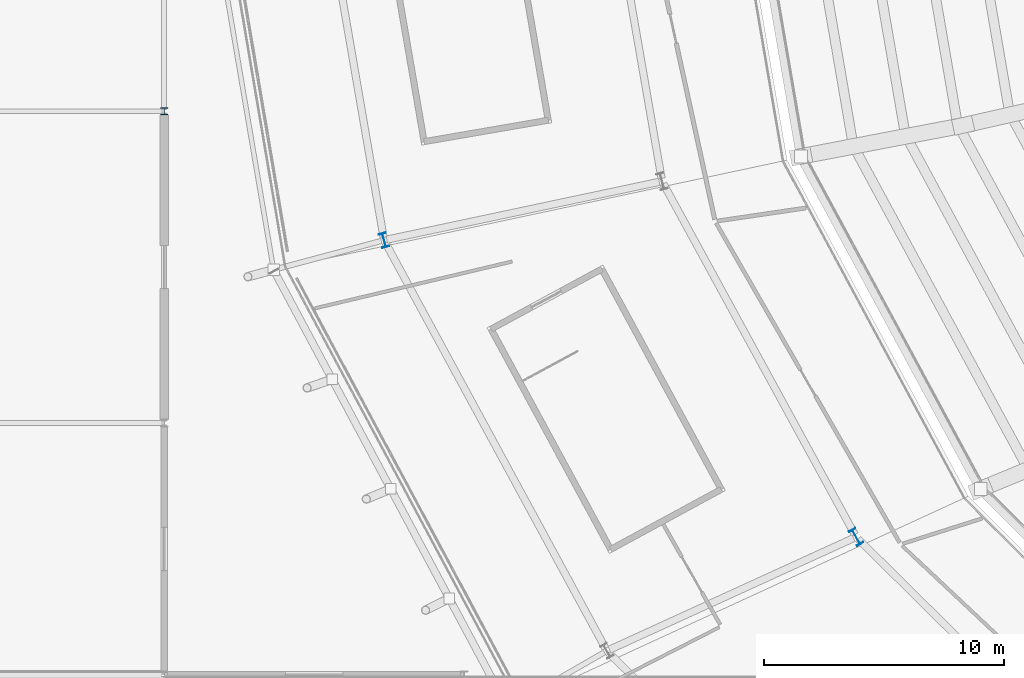
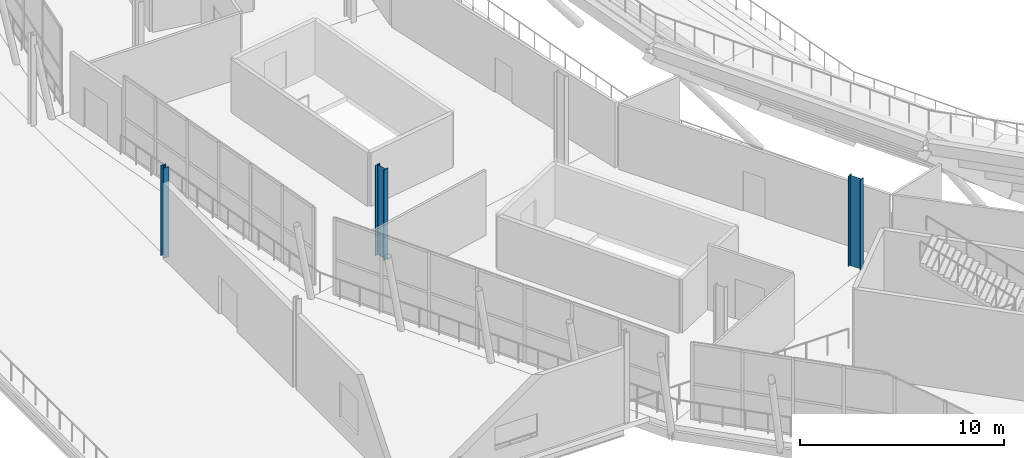
# One storey, part 2 of 126: 3 columns.
"""IFC4 building model written with IfcOpenShell, lengths in metres."""

from ifc_helpers import new_model, si_unit, direction, frame, origin, origin_2d, place, context, subcontext, project, spatial, i_section, extrude, material, material_profile, profile_set, type_object, element, save


model = new_model("IFC4")

# Units and contexts
model_context = context("Model", 3, precision=1e-05, world=origin(), true_north=direction((0.0, 1.0)))
body_context = subcontext(model_context, "Body", "Model", "MODEL_VIEW")
ifc_project = project(units=[si_unit("LENGTHUNIT", "METRE"), si_unit("AREAUNIT", "SQUARE_METRE"), si_unit("VOLUMEUNIT", "CUBIC_METRE"), si_unit("PLANEANGLEUNIT", "RADIAN"), si_unit("MASSUNIT", "GRAM", prefix="KILO")], contexts=[model_context])

# Site, building, storey
site_placement = place(None, origin())
site = spatial("IfcSite", under=ifc_project, at=site_placement, CompositionType="ELEMENT")
building_placement = place(site_placement, origin())
building = spatial("IfcBuilding", under=site, at=building_placement, Name="Zlatoyarsky Gate Stadium", CompositionType="ELEMENT")
storey_placement = place(building_placement, frame((0.0, 0.0, 20.800048828125)))
storey = spatial("IfcBuildingStorey", under=building, at=storey_placement, Name="L04", CompositionType="ELEMENT", Elevation=20.800048828125)

# Columns
ifc_material = material(Name="Steel S355", Category="steel")
ifc_material_profile_1 = material_profile(ifc_material, i_section(OverallWidth=0.300048828125, OverallDepth=0.300048828125, WebThickness=0.010986328125, FlangeThickness=0.01904296875, FilletRadius=0.027099609375, at=origin_2d()), Name="HEB 300")
ifc_profile_set_1 = profile_set([ifc_material_profile_1], Name="Steel S355")
column_type_1 = type_object("IfcColumnType", Name="STEEL COLUMN HEB 300", PredefinedType="COLUMN", material=ifc_profile_set_1)
column_1_placement = place(storey_placement, frame((12.0, 67.0, 0.0), z_axis=(0.0, 0.0, 1.0), x_axis=(1.0, 0.0, 0.0)))
element("IfcColumn", 1, at=column_1_placement, inside=storey, type_object=column_type_1, Name="Column ST-C300 WG-2-G on L04", PredefinedType="COLUMN", context=body_context, shape_type="SweptSolid", body=[
    extrude(i_section(OverallWidth=0.300048828125, OverallDepth=0.300048828125, WebThickness=0.010986328125, FlangeThickness=0.01904296875, FilletRadius=0.027099609375, at=origin_2d()), origin(), (0.0, 0.0, 1.0), 5.39990234375),
])
ifc_material_profile_2 = material_profile(ifc_material, i_section(OverallWidth=0.300048828125, OverallDepth=0.60009765625, WebThickness=0.015380859375, FlangeThickness=0.030029296875, FilletRadius=0.027099609375, at=origin_2d()), Name="HEB 600")
ifc_profile_set_2 = profile_set([ifc_material_profile_2], Name="Steel S355")
column_type_2 = type_object("IfcColumnType", Name="STEEL COLUMN HEB 600", PredefinedType="COLUMN", material=ifc_profile_set_2)
column_2_placement = place(storey_placement, frame((21.1689453125, 61.623779296875, 0.0), z_axis=(0.0, 0.0, 1.0), x_axis=(-0.965925826289, -0.258819045103, 0.0)))
element("IfcColumn", 2, at=column_2_placement, inside=storey, type_object=column_type_2, Name="Column ST-C600 RC-13 on L04", PredefinedType="COLUMN", context=body_context, shape_type="SweptSolid", body=[
    extrude(i_section(OverallWidth=0.300048828125, OverallDepth=0.60009765625, WebThickness=0.015380859375, FlangeThickness=0.030029296875, FilletRadius=0.027099609375, at=origin_2d()), origin(), (0.0, 0.0, 1.0), 5.39990234375),
])
ifc_material_profile_3 = material_profile(ifc_material, i_section(OverallWidth=0.300048828125, OverallDepth=0.699951171875, WebThickness=0.01708984375, FlangeThickness=0.031982421875, FilletRadius=0.027099609375, at=origin_2d()), Name="HEB 700")
ifc_profile_set_3 = profile_set([ifc_material_profile_3], Name="Steel S355")
column_type_3 = type_object("IfcColumnType", Name="STEEL COLUMN HEB 700", PredefinedType="COLUMN", material=ifc_profile_set_3)
column_3_placement = place(storey_placement, frame((40.851806640625, 49.25, 0.0), z_axis=(0.0, 0.0, 1.0), x_axis=(-0.866025403784, -0.5, 0.0)))
element("IfcColumn", 3, at=column_3_placement, inside=storey, type_object=column_type_3, Name="Column ST-C700 RB-14 on L04", PredefinedType="COLUMN", context=body_context, shape_type="SweptSolid", body=[
    extrude(i_section(OverallWidth=0.300048828125, OverallDepth=0.699951171875, WebThickness=0.01708984375, FlangeThickness=0.031982421875, FilletRadius=0.027099609375, at=origin_2d()), origin(), (0.0, 0.0, 1.0), 5.39990234375),
])

save(model, "model.ifc")
